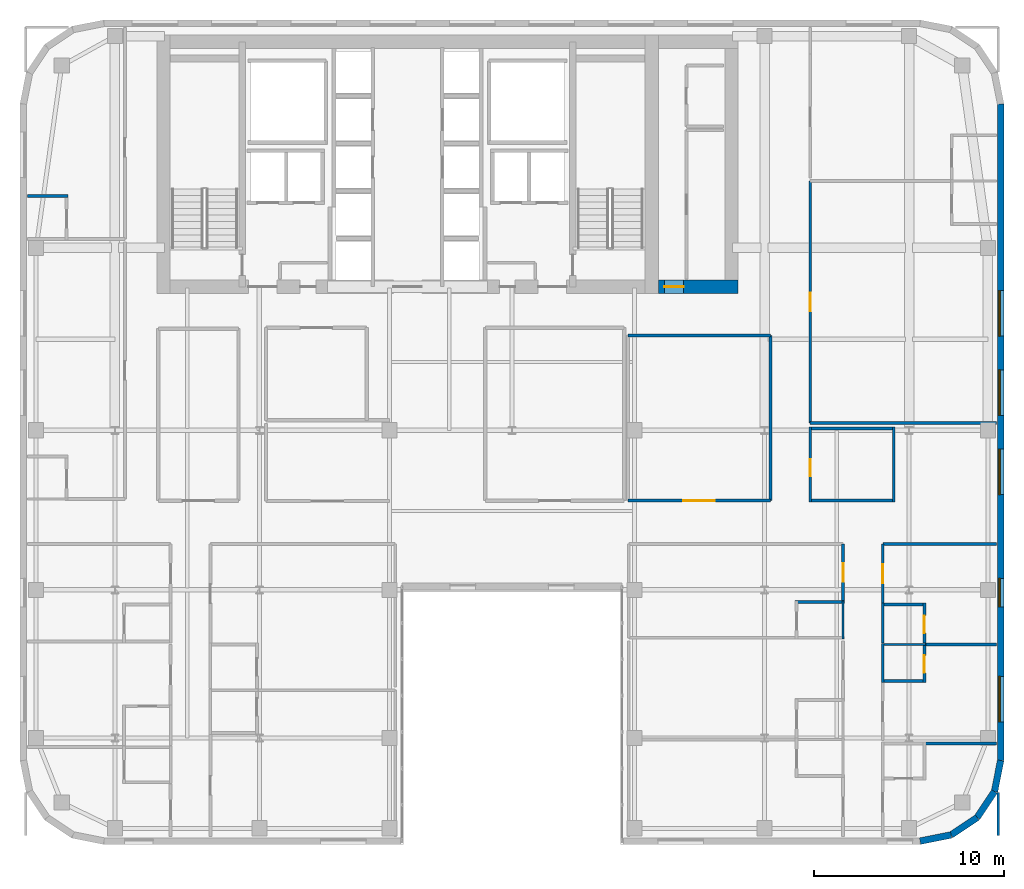
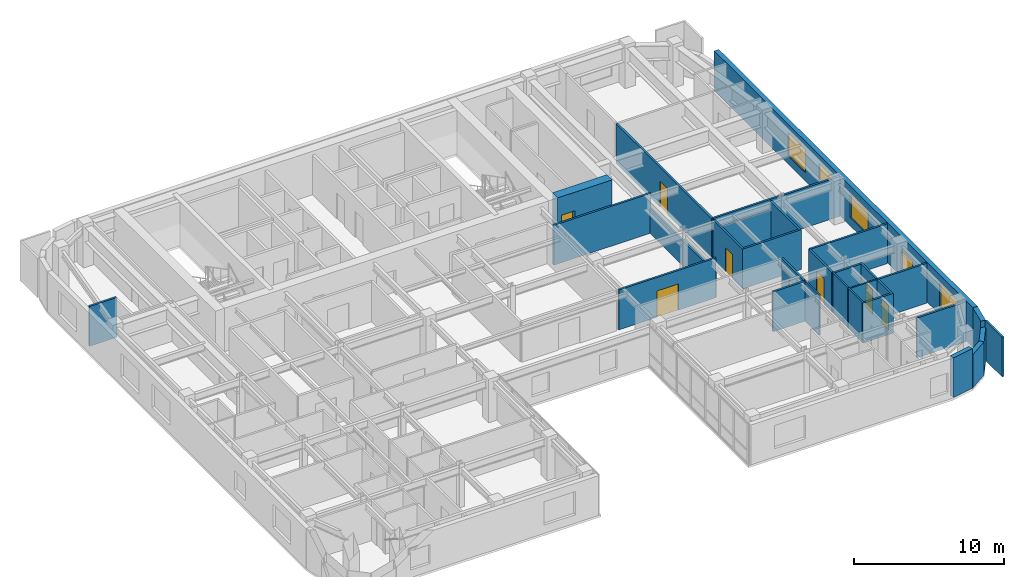
# One storey, part 10 of 14: 31 walls, 8 doors, 5 windows, 13 openings.
"""IFC4 building model written with IfcOpenShell, lengths in metres."""

from ifc_helpers import new_model, si_unit, direction, frame, frame_2d, origin, place, context, subcontext, project, spatial, rectangle, extrude, source, transform, mapped, material, layer, layer_set, type_object, type_shapes, element, fill, save


model = new_model("IFC4")

# Units and contexts
model_context = context("Model", 3, precision=1e-05, world=origin(), true_north=direction((0.0, 1.0)))
body_context = subcontext(model_context, "Body", "Model", "MODEL_VIEW")
ifc_project = project(units=[si_unit("LENGTHUNIT", "METRE"), si_unit("AREAUNIT", "SQUARE_METRE"), si_unit("VOLUMEUNIT", "CUBIC_METRE"), si_unit("PLANEANGLEUNIT", "RADIAN"), si_unit("MASSUNIT", "GRAM", prefix="KILO")], contexts=[model_context])

# Site, building, storey
site_placement = place(None, origin())
site = spatial("IfcSite", under=ifc_project, at=site_placement, CompositionType="ELEMENT")
building_placement = place(site_placement, origin())
building = spatial("IfcBuilding", under=site, at=building_placement, Name="Tolvann Quenvar Hotel", CompositionType="ELEMENT")
storey_placement = place(building_placement, frame((0.0, 0.0, 179.0)))
storey = spatial("IfcBuildingStorey", under=building, at=storey_placement, Name="L47", CompositionType="ELEMENT", Elevation=179.0)

# Wall, opening, door
ifc_material_1 = material(Name="Concrete S65 (65 MPa)", Category="concrete")
ifc_layer_1 = layer(ifc_material_1, 0.699951171875)
ifc_layer_set_1 = layer_set([ifc_layer_1], Name="Concrete S65 (65 MPa)")
wall_type_1 = type_object("IfcWallType", Name="WALL_CORE_700", PredefinedType="SHEAR", material=ifc_layer_set_1)
wall_1_placement = place(storey_placement, frame((36.199951171875, 31.949951171875, 0.0), z_axis=(0.0, 0.0, 1.0), x_axis=(1.0, 0.0, 0.0)))
wall_1 = element("IfcWall", 1, at=wall_1_placement, inside=storey, type_object=wall_type_1, Name="Core East Annex Shear Wall ANN-S (L47)", PredefinedType="SHEAR", context=body_context, shape_type="SweptSolid", body=[
    extrude(rectangle(XDim=4.199951171875, YDim=0.699951171875, at=frame_2d((2.10009765625, 0.0))), origin(), (0.0, 0.0, 1.0), 3.550048828125),
])
opening_1_placement = place(wall_1_placement, frame((1.340087890625, 0.0, 0.0), z_axis=(0.0, 0.0, 1.0), x_axis=(-1.0, 0.0, 0.0)))
opening_1 = element("IfcOpeningElement", 2, at=opening_1_placement, cuts=wall_1, Name="Opening HD-01", PredefinedType="OPENING", context=body_context, shape_type="SweptSolid", body=[
    extrude(rectangle(XDim=1.02001953125, YDim=2.030029296875, at=frame_2d((0.510009765625, 1.01513671875))), frame((0.0, 0.35986328125, 0.0), z_axis=(0.0, -1.0, 0.0), x_axis=(1.0, 0.0, 0.0)), (0.0, 0.0, 1.0), 0.719970703125),
])
ifc_material_2 = material(Name="Pressed galvanised steel fire-rated door set", Category="steel")
door_type_1 = type_object("IfcDoorType", Name="DOOR_BOH_1020", OperationType="NOTDEFINED", PredefinedType="DOOR", material=ifc_material_2)
shared_shape_1 = source(origin(), body_context, "Body", "SweptSolid", [
    extrude(rectangle(XDim=1.02001953125, YDim=2.030029296875, at=frame_2d((0.510009765625, 1.01513671875))), frame((0.0, 0.02490234375, 0.0), z_axis=(0.0, -1.0, 0.0), x_axis=(1.0, 0.0, 0.0)), (0.0, 0.0, 1.0), 0.050048828125),
])
type_shapes(door_type_1, [shared_shape_1])
door_1_placement = place(opening_1_placement, origin())
door_1 = element("IfcDoor", 3, at=door_1_placement, inside=storey, type_object=door_type_1, Name="Housekeeping Annex Fire Door (L47)", OperationType="SINGLE_SWING_LEFT", OverallHeight=2.030029296875, OverallWidth=1.02001953125, PredefinedType="DOOR", context=body_context, shape_type="MappedRepresentation", body=[
    mapped(shared_shape_1, transform((0.0, 0.0, 0.0), x_axis=(1.0, 0.0, 0.0), y_axis=(0.0, 1.0, 0.0), z_axis=(0.0, 0.0, 1.0), scale=1.0)),
])
fill(opening_1, door_1)

# Walls
ifc_material_3 = material(Name="Kiln-fired red and buff architectural clay brickwork and terracotta masonry", Category="masonry")
ifc_layer_2 = layer(ifc_material_3, 0.35009765625)
ifc_layer_set_2 = layer_set([ifc_layer_2], Name="Kiln-fired red and buff architectural clay brickwork and terracotta masonry")
wall_type_2 = type_object("IfcWallType", Name="WALL_EXT_BRICK_350", PredefinedType="SOLIDWALL", material=ifc_layer_set_2)
wall_2_placement = place(storey_placement, frame((49.98291015625, 2.77490234375, 0.0), z_axis=(0.0, 0.0, 1.0), x_axis=(0.980788844421, 0.195072403631, 0.0)))
element("IfcWall", 4, at=wall_2_placement, inside=storey, type_object=wall_type_2, Name="Exterior Chicago Brick Wall L47-E09", PredefinedType="SOLIDWALL", context=body_context, shape_type="SweptSolid", body=[
    extrude(rectangle(XDim=1.66455078125, YDim=0.35009765625, at=frame_2d((0.832275390625, 0.0))), origin(), (0.0, 0.0, 1.0), 3.25),
])
for number, where, z_axis, x_axis, name in (
    (5, (51.615478515625, 3.099609375, 0.0), (0.0, 0.0, 1.0), (0.831434158098, 0.555623290322, 0.0), "Exterior Chicago Brick Wall L47-E10"),
    (6, (52.985107421875, 4.014892578125, 0.0), (0.0, 0.0, 1.0), (0.555623290322, 0.831434158098, 0.0), "Exterior Chicago Brick Wall L47-E11"),
):
    element("IfcWall", number, at=place(storey_placement, frame(where, z_axis=z_axis, x_axis=x_axis)), inside=storey, type_object=wall_type_2, Name=name, PredefinedType="SOLIDWALL", context=body_context, shape_type="SweptSolid", body=[
        extrude(rectangle(XDim=1.647216796875, YDim=0.35009765625, at=frame_2d((0.82373046875, 0.0))), origin(), (0.0, 0.0, 1.0), 2.7119140625),
    ])
wall_3_placement = place(storey_placement, frame((53.900390625, 5.384521484375, 0.0), z_axis=(0.0, 0.0, 1.0), x_axis=(0.195072403631, 0.980788844421, 0.0)))
element("IfcWall", 7, at=wall_3_placement, inside=storey, type_object=wall_type_2, Name="Exterior Chicago Brick Wall L47-E12", PredefinedType="SOLIDWALL", context=body_context, shape_type="SweptSolid", body=[
    extrude(rectangle(XDim=1.66455078125, YDim=0.35009765625, at=frame_2d((0.832275390625, 0.0))), origin(), (0.0, 0.0, 1.0), 3.25),
])

# Wall, openings, windows
wall_4_placement = place(storey_placement, frame((54.22509765625, 7.01708984375, 0.0), z_axis=(0.0, 0.0, 1.0), x_axis=(0.0, 1.0, 0.0)))
wall_4 = element("IfcWall", 8, at=wall_4_placement, inside=storey, type_object=wall_type_2, Name="Exterior Chicago Brick Wall L47-E13", PredefinedType="SOLIDWALL", context=body_context, shape_type="SweptSolid", body=[
    extrude(rectangle(XDim=34.565673828125, YDim=0.35009765625, at=frame_2d((17.28271484375, 0.0))), origin(), (0.0, 0.0, 1.0), 3.25),
])
opening_2_placement = place(wall_4_placement, frame((2.034912109375, 0.0, 0.679931640625)))
opening_2 = element("IfcOpeningElement", 9, at=opening_2_placement, cuts=wall_4, Name="Opening W-01", PredefinedType="OPENING", context=body_context, shape_type="SweptSolid", body=[
    extrude(rectangle(XDim=2.39990234375, YDim=1.89990234375, at=frame_2d((1.199951171875, 0.949951171875))), frame((0.0, 0.18505859375, 0.0), z_axis=(0.0, -1.0, 0.0), x_axis=(1.0, 0.0, 0.0)), (0.0, 0.0, 1.0), 0.3701171875),
])
opening_3_placement = place(wall_4_placement, frame((13.9970703125, 0.0, 0.679931640625)))
opening_3 = element("IfcOpeningElement", 10, at=opening_3_placement, cuts=wall_4, Name="Opening W-01", PredefinedType="OPENING", context=body_context, shape_type="SweptSolid", body=[
    extrude(rectangle(XDim=2.39990234375, YDim=1.89990234375, at=frame_2d((1.199951171875, 0.949951171875))), frame((0.0, 0.18505859375, 0.0), z_axis=(0.0, -1.0, 0.0), x_axis=(1.0, 0.0, 0.0)), (0.0, 0.0, 1.0), 0.3701171875),
])
opening_4_placement = place(wall_4_placement, frame((18.16796875, 0.0, 0.679931640625)))
opening_4 = element("IfcOpeningElement", 11, at=opening_4_placement, cuts=wall_4, Name="Opening W-01", PredefinedType="OPENING", context=body_context, shape_type="SweptSolid", body=[
    extrude(rectangle(XDim=2.39990234375, YDim=1.89990234375, at=frame_2d((1.199951171875, 0.949951171875))), frame((0.0, 0.18505859375, 0.0), z_axis=(0.0, -1.0, 0.0), x_axis=(1.0, 0.0, 0.0)), (0.0, 0.0, 1.0), 0.3701171875),
])
opening_5_placement = place(wall_4_placement, frame((22.339111328125, 0.0, 0.679931640625)))
opening_5 = element("IfcOpeningElement", 12, at=opening_5_placement, cuts=wall_4, Name="Opening W-01", PredefinedType="OPENING", context=body_context, shape_type="SweptSolid", body=[
    extrude(rectangle(XDim=2.39990234375, YDim=1.89990234375, at=frame_2d((1.199951171875, 0.949951171875))), frame((0.0, 0.18505859375, 0.0), z_axis=(0.0, -1.0, 0.0), x_axis=(1.0, 0.0, 0.0)), (0.0, 0.0, 1.0), 0.3701171875),
])
opening_6_placement = place(wall_4_placement, frame((8.0830078125, 0.0, 0.6201171875)))
opening_6 = element("IfcOpeningElement", 13, at=opening_6_placement, cuts=wall_4, Name="Opening W-08", PredefinedType="OPENING", context=body_context, shape_type="SweptSolid", body=[
    extrude(rectangle(XDim=1.5, YDim=1.550048828125, at=frame_2d((0.75, 0.77490234375))), frame((0.0, 0.18505859375, 0.0), z_axis=(0.0, -1.0, 0.0), x_axis=(1.0, 0.0, 0.0)), (0.0, 0.0, 1.0), 0.3701171875),
])
ifc_material_4 = material(Name="Thermally broken bronze-anodised aluminium frame with double low-E glazing", Category="aluminium")
window_type_1 = type_object("IfcWindowType", Name="WIN_COR_1500x2050", PartitioningType="SINGLE_PANEL", PredefinedType="WINDOW", material=ifc_material_4)
shared_shape_2 = source(origin(), body_context, "Body", "SweptSolid", [
    extrude(rectangle(XDim=1.5, YDim=1.550048828125, at=frame_2d((0.75, 0.77490234375))), frame((0.0, 0.090087890625, 0.0), z_axis=(0.0, -1.0, 0.0), x_axis=(1.0, 0.0, 0.0)), (0.0, 0.0, 1.0), 0.06005859375),
])
type_shapes(window_type_1, [shared_shape_2])
window_1_placement = place(opening_6_placement, origin())
window_1 = element("IfcWindow", 14, at=window_1_placement, inside=storey, type_object=window_type_1, Name="Chicago Window W-08 (EW-L47-E13-WD05)", OverallHeight=1.550048828125, OverallWidth=1.5, PartitioningType="SINGLE_PANEL", PredefinedType="WINDOW", context=body_context, shape_type="MappedRepresentation", body=[
    mapped(shared_shape_2, transform((0.0, 0.0, 0.0), x_axis=(1.0, 0.0, 0.0), y_axis=(0.0, 1.0, 0.0), z_axis=(0.0, 0.0, 1.0), scale=1.0)),
])
fill(opening_6, window_1)
window_type_2 = type_object("IfcWindowType", Name="WIN_CHI_2400x2050", PartitioningType="TRIPLE_PANEL_HORIZONTAL", PredefinedType="WINDOW", material=ifc_material_4)
shared_shape_3 = source(origin(), body_context, "Body", "SweptSolid", [
    extrude(rectangle(XDim=2.39990234375, YDim=1.89990234375, at=frame_2d((1.199951171875, 0.949951171875))), frame((0.0, 0.090087890625, 0.0), z_axis=(0.0, -1.0, 0.0), x_axis=(1.0, 0.0, 0.0)), (0.0, 0.0, 1.0), 0.06005859375),
])
type_shapes(window_type_2, [shared_shape_3])
window_2_placement = place(opening_2_placement, origin())
window_2 = element("IfcWindow", 15, at=window_2_placement, inside=storey, type_object=window_type_2, Name="Chicago Window W-01 (EW-L47-E13-W01)", OverallHeight=1.89990234375, OverallWidth=2.39990234375, PartitioningType="TRIPLE_PANEL_HORIZONTAL", PredefinedType="WINDOW", context=body_context, shape_type="MappedRepresentation", body=[
    mapped(shared_shape_3, transform((0.0, 0.0, 0.0), x_axis=(1.0, 0.0, 0.0), y_axis=(0.0, 1.0, 0.0), z_axis=(0.0, 0.0, 1.0), scale=1.0)),
])
fill(opening_2, window_2)
window_3_placement = place(opening_3_placement, origin())
window_3 = element("IfcWindow", 16, at=window_3_placement, inside=storey, type_object=window_type_2, Name="Chicago Window W-01 (EW-L47-E13-W02)", OverallHeight=1.89990234375, OverallWidth=2.39990234375, PartitioningType="TRIPLE_PANEL_HORIZONTAL", PredefinedType="WINDOW", context=body_context, shape_type="MappedRepresentation", body=[
    mapped(shared_shape_3, transform((0.0, 0.0, 0.0), x_axis=(1.0, 0.0, 0.0), y_axis=(0.0, 1.0, 0.0), z_axis=(0.0, 0.0, 1.0), scale=1.0)),
])
fill(opening_3, window_3)
window_4_placement = place(opening_4_placement, origin())
window_4 = element("IfcWindow", 17, at=window_4_placement, inside=storey, type_object=window_type_2, Name="Chicago Window W-01 (EW-L47-E13-W03)", OverallHeight=1.89990234375, OverallWidth=2.39990234375, PartitioningType="TRIPLE_PANEL_HORIZONTAL", PredefinedType="WINDOW", context=body_context, shape_type="MappedRepresentation", body=[
    mapped(shared_shape_3, transform((0.0, 0.0, 0.0), x_axis=(1.0, 0.0, 0.0), y_axis=(0.0, 1.0, 0.0), z_axis=(0.0, 0.0, 1.0), scale=1.0)),
])
fill(opening_4, window_4)
window_5_placement = place(opening_5_placement, origin())
window_5 = element("IfcWindow", 18, at=window_5_placement, inside=storey, type_object=window_type_2, Name="Chicago Window W-01 (EW-L47-E13-W04)", OverallHeight=1.89990234375, OverallWidth=2.39990234375, PartitioningType="TRIPLE_PANEL_HORIZONTAL", PredefinedType="WINDOW", context=body_context, shape_type="MappedRepresentation", body=[
    mapped(shared_shape_3, transform((0.0, 0.0, 0.0), x_axis=(1.0, 0.0, 0.0), y_axis=(0.0, 1.0, 0.0), z_axis=(0.0, 0.0, 1.0), scale=1.0)),
])
fill(opening_5, window_5)

# Walls
ifc_material_5 = material(Name="Moisture-resistant acoustic plumbing wall assembly")
ifc_layer_3 = layer(ifc_material_5, 0.1201171875)
ifc_layer_set_3 = layer_set([ifc_layer_3], Name="Moisture-resistant acoustic plumbing wall assembly")
wall_type_3 = type_object("IfcWallType", Name="WALL_PART_BATH_120", PredefinedType="PLUMBINGWALL", material=ifc_layer_set_3)
wall_5_placement = place(storey_placement, frame((45.929931640625, 13.409912109375, 0.0), z_axis=(0.0, 0.0, 1.0), x_axis=(0.0, 1.0, 0.0)))
element("IfcWall", 19, at=wall_5_placement, inside=storey, type_object=wall_type_3, Name="Non-Rated Plumbing Partition PT-SPC-L47-ENS-EI03-E", PredefinedType="PLUMBINGWALL", context=body_context, shape_type="SweptSolid", body=[
    extrude(rectangle(XDim=2.01708984375, YDim=0.1201171875, at=frame_2d((1.008544921875, 0.0))), origin(), (0.0, 0.0, 1.0), 3.25),
])
wall_6_placement = place(storey_placement, frame((47.949951171875, 13.1201171875, 0.0), z_axis=(0.0, 0.0, 1.0), x_axis=(1.0, 0.0, 0.0)))
element("IfcWall", 20, at=wall_6_placement, inside=storey, type_object=wall_type_3, Name="Non-Rated Plumbing Partition PT-SPC-L47-ENS-EO02-N", PredefinedType="PLUMBINGWALL", context=body_context, shape_type="SweptSolid", body=[
    extrude(rectangle(XDim=2.3291015625, YDim=0.1201171875, at=frame_2d((1.16455078125, 0.0))), origin(), (0.0, 0.0, 1.0), 3.25),
])
wall_7_placement = place(storey_placement, frame((48.02001953125, 11.135009765625, 0.0), z_axis=(0.0, 0.0, 1.0), x_axis=(0.0, 1.0, 0.0)))
element("IfcWall", 21, at=wall_7_placement, inside=storey, type_object=wall_type_3, Name="Non-Rated Plumbing Partition PT-SPC-L47-ENS-EO02-W", PredefinedType="PLUMBINGWALL", context=body_context, shape_type="SweptSolid", body=[
    extrude(rectangle(XDim=2.054931640625, YDim=0.1201171875, at=frame_2d((1.02734375, 0.0))), origin(), (0.0, 0.0, 1.0), 3.25),
])
wall_8_placement = place(storey_placement, frame((48.02001953125, 13.2099609375, 0.0), z_axis=(0.0, 0.0, 1.0), x_axis=(0.0, 1.0, 0.0)))
element("IfcWall", 22, at=wall_8_placement, inside=storey, type_object=wall_type_3, Name="Non-Rated Plumbing Partition PT-SPC-L47-ENS-EO03-W", PredefinedType="PLUMBINGWALL", context=body_context, shape_type="SweptSolid", body=[
    extrude(rectangle(XDim=2.093017578125, YDim=0.1201171875, at=frame_2d((1.04638671875, 0.0))), origin(), (0.0, 0.0, 1.0), 3.25),
])
ifc_material_6 = material(Name="Acoustic twin-stud fire-rated gypsum plasterboard partition")
ifc_layer_4 = layer(ifc_material_6, 0.14990234375)
ifc_layer_set_4 = layer_set([ifc_layer_4], Name="Acoustic twin-stud fire-rated gypsum plasterboard partition")
wall_type_4 = type_object("IfcWallType", Name="WALL_PART_SUITE_150", PredefinedType="PARTITIONING", material=ifc_layer_set_4)
wall_9_placement = place(storey_placement, frame((43.409912109375, 15.35693359375, 0.0), z_axis=(0.0, 0.0, 1.0), x_axis=(1.0, 0.0, 0.0)))
element("IfcWall", 23, at=wall_9_placement, inside=storey, type_object=wall_type_4, Name="Interior Partition PT-SPC-L47-ENS-EI03-N", PredefinedType="PARTITIONING", context=body_context, shape_type="SweptSolid", body=[
    extrude(rectangle(XDim=2.590087890625, YDim=0.14990234375, at=frame_2d((1.294921875, 0.0))), origin(), (0.0, 0.0, 1.0), 3.25),
])

# Wall, opening, door
wall_10_placement = place(storey_placement, frame((50.208984375, 11.135009765625, 0.0), z_axis=(0.0, 0.0, 1.0), x_axis=(0.0, 1.0, 0.0)))
wall_10 = element("IfcWall", 24, at=wall_10_placement, inside=storey, type_object=wall_type_4, Name="Interior Partition PT-SPC-L47-ENS-EO02-ENT", PredefinedType="PARTITIONING", context=body_context, shape_type="SweptSolid", body=[
    extrude(rectangle(XDim=2.054931640625, YDim=0.14990234375, at=frame_2d((1.02734375, 0.0))), origin(), (0.0, 0.0, 1.0), 3.25),
])
opening_7_placement = place(wall_10_placement, frame((0.49755859375, 0.0, 0.0)))
opening_7 = element("IfcOpeningElement", 25, at=opening_7_placement, cuts=wall_10, Name="Opening WD-01", PredefinedType="OPENING", context=body_context, shape_type="SweptSolid", body=[
    extrude(rectangle(XDim=0.919921875, YDim=2.010009765625, at=frame_2d((0.4599609375, 1.0048828125))), frame((0.0, 0.0849609375, 0.0), z_axis=(0.0, -1.0, 0.0), x_axis=(1.0, 0.0, 0.0)), (0.0, 0.0, 1.0), 0.169921875),
])
ifc_material_7 = material(Name="Solid-core American oak acoustic fire door leaf in steel frame", Category="steel")
door_type_2 = type_object("IfcDoorType", Name="DOOR_WC_920", OperationType="NOTDEFINED", PredefinedType="DOOR", material=ifc_material_7)
shared_shape_4 = source(origin(), body_context, "Body", "SweptSolid", [
    extrude(rectangle(XDim=0.919921875, YDim=2.010009765625, at=frame_2d((0.4599609375, 1.0048828125))), frame((0.0, 0.02490234375, 0.0), z_axis=(0.0, -1.0, 0.0), x_axis=(1.0, 0.0, 0.0)), (0.0, 0.0, 1.0), 0.050048828125),
])
type_shapes(door_type_2, [shared_shape_4])
door_2_placement = place(opening_7_placement, origin())
door_2 = element("IfcDoor", 26, at=door_2_placement, inside=storey, type_object=door_type_2, Name="Interior Door DOOR-SPC-L47-ENS-EO02", OperationType="SINGLE_SWING_RIGHT", OverallHeight=2.010009765625, OverallWidth=0.919921875, PredefinedType="DOOR", context=body_context, shape_type="MappedRepresentation", body=[
    mapped(shared_shape_4, transform((0.0, 0.0, 0.0), x_axis=(1.0, 0.0, 0.0), y_axis=(0.0, 1.0, 0.0), z_axis=(0.0, 0.0, 1.0), scale=1.0)),
])
fill(opening_7, door_2)

# Wall
wall_11_placement = place(storey_placement, frame((47.949951171875, 11.205078125, 0.0), z_axis=(0.0, 0.0, 1.0), x_axis=(1.0, 0.0, 0.0)))
element("IfcWall", 27, at=wall_11_placement, inside=storey, type_object=wall_type_4, Name="Interior Partition PT-SPC-L47-ENS-EO02-S", PredefinedType="PARTITIONING", context=body_context, shape_type="SweptSolid", body=[
    extrude(rectangle(XDim=2.3291015625, YDim=0.14990234375, at=frame_2d((1.16455078125, 0.0))), origin(), (0.0, 0.0, 1.0), 3.25),
])

# Wall, opening, door
wall_12_placement = place(storey_placement, frame((50.208984375, 13.2099609375, 0.0), z_axis=(0.0, 0.0, 1.0), x_axis=(0.0, 1.0, 0.0)))
wall_12 = element("IfcWall", 28, at=wall_12_placement, inside=storey, type_object=wall_type_4, Name="Interior Partition PT-SPC-L47-ENS-EO03-ENT", PredefinedType="PARTITIONING", context=body_context, shape_type="SweptSolid", body=[
    extrude(rectangle(XDim=2.093017578125, YDim=0.14990234375, at=frame_2d((1.04638671875, 0.0))), origin(), (0.0, 0.0, 1.0), 3.25),
])
opening_8_placement = place(wall_12_placement, frame((0.5166015625, 0.0, 0.0)))
opening_8 = element("IfcOpeningElement", 29, at=opening_8_placement, cuts=wall_12, Name="Opening WD-01", PredefinedType="OPENING", context=body_context, shape_type="SweptSolid", body=[
    extrude(rectangle(XDim=0.919921875, YDim=2.010009765625, at=frame_2d((0.4599609375, 1.0048828125))), frame((0.0, 0.0849609375, 0.0), z_axis=(0.0, -1.0, 0.0), x_axis=(1.0, 0.0, 0.0)), (0.0, 0.0, 1.0), 0.169921875),
])
door_3_placement = place(opening_8_placement, origin())
door_3 = element("IfcDoor", 30, at=door_3_placement, inside=storey, type_object=door_type_2, Name="Interior Door DOOR-SPC-L47-ENS-EO03", OperationType="SINGLE_SWING_LEFT", OverallHeight=2.010009765625, OverallWidth=0.919921875, PredefinedType="DOOR", context=body_context, shape_type="MappedRepresentation", body=[
    mapped(shared_shape_4, transform((0.0, 0.0, 0.0), x_axis=(1.0, 0.0, 0.0), y_axis=(0.0, 1.0, 0.0), z_axis=(0.0, 0.0, 1.0), scale=1.0)),
])
fill(opening_8, door_3)

# Walls
wall_13_placement = place(storey_placement, frame((47.949951171875, 15.23291015625, 0.0), z_axis=(0.0, 0.0, 1.0), x_axis=(1.0, 0.0, 0.0)))
element("IfcWall", 31, at=wall_13_placement, inside=storey, type_object=wall_type_4, Name="Interior Partition PT-SPC-L47-ENS-EO03-N", PredefinedType="PARTITIONING", context=body_context, shape_type="SweptSolid", body=[
    extrude(rectangle(XDim=2.3291015625, YDim=0.14990234375, at=frame_2d((1.16455078125, 0.0))), origin(), (0.0, 0.0, 1.0), 3.25),
])
wall_14_placement = place(storey_placement, frame((3.0048828125, 36.72998046875, 0.0), z_axis=(0.0, 0.0, 1.0), x_axis=(1.0, 0.0, 0.0)))
element("IfcWall", 32, at=wall_14_placement, inside=storey, type_object=wall_type_4, Name="Interior Partition PT-SPC-L47-ENS-NW02-N", PredefinedType="PARTITIONING", context=body_context, shape_type="SweptSolid", body=[
    extrude(rectangle(XDim=2.115234375, YDim=0.14990234375, at=frame_2d((1.0576171875, 0.0))), origin(), (0.0, 0.0, 1.0), 3.25),
])

# Wall, opening, door
wall_15_placement = place(storey_placement, frame((45.929931640625, 15.43701171875, 0.0), z_axis=(0.0, 0.0, 1.0), x_axis=(0.0, 1.0, 0.0)))
wall_15 = element("IfcWall", 33, at=wall_15_placement, inside=storey, type_object=wall_type_4, Name="Interior Partition PT-SPC-L47-RM-EI03-ENT", PredefinedType="PARTITIONING", context=body_context, shape_type="SweptSolid", body=[
    extrude(rectangle(XDim=2.98291015625, YDim=0.14990234375, at=frame_2d((1.491455078125, 0.0))), origin(), (0.0, 0.0, 1.0), 3.25),
])
opening_9_placement = place(wall_15_placement, frame((0.9814453125, 0.0, 0.0)))
opening_9 = element("IfcOpeningElement", 34, at=opening_9_placement, cuts=wall_15, Name="Opening SD-01", PredefinedType="OPENING", context=body_context, shape_type="SweptSolid", body=[
    extrude(rectangle(XDim=0.97998046875, YDim=2.1201171875, at=frame_2d((0.489990234375, 1.06005859375))), frame((0.0, 0.0849609375, 0.0), z_axis=(0.0, -1.0, 0.0), x_axis=(1.0, 0.0, 0.0)), (0.0, 0.0, 1.0), 0.169921875),
])
door_type_3 = type_object("IfcDoorType", Name="DOOR_SUITE_980", OperationType="NOTDEFINED", PredefinedType="DOOR", material=ifc_material_7)
shared_shape_5 = source(origin(), body_context, "Body", "SweptSolid", [
    extrude(rectangle(XDim=0.97998046875, YDim=2.1201171875, at=frame_2d((0.489990234375, 1.06005859375))), frame((0.0, 0.02490234375, 0.0), z_axis=(0.0, -1.0, 0.0), x_axis=(1.0, 0.0, 0.0)), (0.0, 0.0, 1.0), 0.050048828125),
])
type_shapes(door_type_3, [shared_shape_5])
door_4_placement = place(opening_9_placement, origin())
door_4 = element("IfcDoor", 35, at=door_4_placement, inside=storey, type_object=door_type_3, Name="Interior Door DOOR-SPC-L47-RM-EI03", OperationType="SINGLE_SWING_LEFT", OverallHeight=2.1201171875, OverallWidth=0.97998046875, PredefinedType="DOOR", context=body_context, shape_type="MappedRepresentation", body=[
    mapped(shared_shape_5, transform((0.0, 0.0, 0.0), x_axis=(1.0, 0.0, 0.0), y_axis=(0.0, 1.0, 0.0), z_axis=(0.0, 0.0, 1.0), scale=1.0)),
])
fill(opening_9, door_4)

# Walls
wall_16_placement = place(storey_placement, frame((54.10009765625, 3.080078125, 0.0), z_axis=(0.0, 0.0, 1.0), x_axis=(0.0, 1.0, 0.0)))
element("IfcWall", 36, at=wall_16_placement, inside=storey, type_object=wall_type_4, Name="Interior Partition PT-SPC-L47-RM-EO01-E2", PredefinedType="PARTITIONING", context=body_context, shape_type="SweptSolid", body=[
    extrude(rectangle(XDim=2.264892578125, YDim=0.14990234375, at=frame_2d((1.13232421875, 0.0))), origin(), (0.0, 0.0, 1.0), 3.25),
])
for number, where, z_axis, x_axis, name in (
    (37, (50.22900390625, 7.919921875, 0.0), (0.0, 0.0, 1.0), (1.0, 0.0, 0.0), "Interior Partition PT-SPC-L47-RM-EO01-E3"),
    (38, (50.22900390625, 13.1201171875, 0.0), (0.0, 0.0, 1.0), (1.0, 0.0, 0.0), "Interior Partition PT-SPC-L47-RM-EO02-E3"),
):
    element("IfcWall", number, at=place(storey_placement, frame(where, z_axis=z_axis, x_axis=x_axis)), inside=storey, type_object=wall_type_4, Name=name, PredefinedType="PARTITIONING", context=body_context, shape_type="SweptSolid", body=[
        extrude(rectangle(XDim=3.76611328125, YDim=0.14990234375, at=frame_2d((1.883056640625, 0.0))), origin(), (0.0, 0.0, 1.0), 3.25),
    ])

# Wall, opening, door
wall_17_placement = place(storey_placement, frame((48.02001953125, 15.31298828125, 0.0), z_axis=(0.0, 0.0, 1.0), x_axis=(0.0, 1.0, 0.0)))
wall_17 = element("IfcWall", 39, at=wall_17_placement, inside=storey, type_object=wall_type_4, Name="Interior Partition PT-SPC-L47-RM-EO03-ENT", PredefinedType="PARTITIONING", context=body_context, shape_type="SweptSolid", body=[
    extrude(rectangle(XDim=3.10693359375, YDim=0.14990234375, at=frame_2d((1.553466796875, 0.0))), origin(), (0.0, 0.0, 1.0), 3.25),
])
opening_10_placement = place(wall_17_placement, frame((1.04345703125, 0.0, 0.0)))
opening_10 = element("IfcOpeningElement", 40, at=opening_10_placement, cuts=wall_17, Name="Opening SD-01", PredefinedType="OPENING", context=body_context, shape_type="SweptSolid", body=[
    extrude(rectangle(XDim=0.97998046875, YDim=2.1201171875, at=frame_2d((0.489990234375, 1.06005859375))), frame((0.0, 0.0849609375, 0.0), z_axis=(0.0, -1.0, 0.0), x_axis=(1.0, 0.0, 0.0)), (0.0, 0.0, 1.0), 0.169921875),
])
door_5_placement = place(opening_10_placement, origin())
door_5 = element("IfcDoor", 41, at=door_5_placement, inside=storey, type_object=door_type_3, Name="Interior Door DOOR-SPC-L47-RM-EO03", OperationType="SINGLE_SWING_RIGHT", OverallHeight=2.1201171875, OverallWidth=0.97998046875, PredefinedType="DOOR", context=body_context, shape_type="MappedRepresentation", body=[
    mapped(shared_shape_5, transform((0.0, 0.0, 0.0), x_axis=(1.0, 0.0, 0.0), y_axis=(0.0, 1.0, 0.0), z_axis=(0.0, 0.0, 1.0), scale=1.0)),
])
fill(opening_10, door_5)

# Wall
wall_18_placement = place(storey_placement, frame((48.02001953125, 18.419921875, 0.0), z_axis=(0.0, 0.0, 1.0), x_axis=(1.0, 0.0, 0.0)))
element("IfcWall", 42, at=wall_18_placement, inside=storey, type_object=wall_type_4, Name="Interior Partition PT-SPC-L47-RM-EO03-E5", PredefinedType="PARTITIONING", context=body_context, shape_type="SweptSolid", body=[
    extrude(rectangle(XDim=5.97509765625, YDim=0.14990234375, at=frame_2d((2.987548828125, 0.0))), origin(), (0.0, 0.0, 1.0), 3.25),
])

# Wall, opening, door
wall_19_placement = place(storey_placement, frame((44.199951171875, 20.6298828125, 0.0), z_axis=(0.0, 0.0, 1.0), x_axis=(0.0, 1.0, 0.0)))
wall_19 = element("IfcWall", 43, at=wall_19_placement, inside=storey, type_object=wall_type_4, Name="Interior Partition PT-SPC-L47-WCA-ENT", PredefinedType="PARTITIONING", context=body_context, shape_type="SweptSolid", body=[
    extrude(rectangle(XDim=3.940185546875, YDim=0.14990234375, at=frame_2d((1.97021484375, 0.0))), origin(), (0.0, 0.0, 1.0), 3.25),
])
opening_11_placement = place(wall_19_placement, frame((1.340087890625, 0.0, 0.0)))
opening_11 = element("IfcOpeningElement", 44, at=opening_11_placement, cuts=wall_19, Name="Opening WD-01", PredefinedType="OPENING", context=body_context, shape_type="SweptSolid", body=[
    extrude(rectangle(XDim=0.919921875, YDim=2.010009765625, at=frame_2d((0.4599609375, 1.0048828125))), frame((0.0, 0.0849609375, 0.0), z_axis=(0.0, -1.0, 0.0), x_axis=(1.0, 0.0, 0.0)), (0.0, 0.0, 1.0), 0.169921875),
])
door_6_placement = place(opening_11_placement, origin())
door_6 = element("IfcDoor", 45, at=door_6_placement, inside=storey, type_object=door_type_2, Name="Interior Door DOOR-SPC-L47-WCA", OperationType="SINGLE_SWING_LEFT", OverallHeight=2.010009765625, OverallWidth=0.919921875, PredefinedType="DOOR", context=body_context, shape_type="MappedRepresentation", body=[
    mapped(shared_shape_4, transform((0.0, 0.0, 0.0), x_axis=(1.0, 0.0, 0.0), y_axis=(0.0, 1.0, 0.0), z_axis=(0.0, 0.0, 1.0), scale=1.0)),
])
fill(opening_11, door_6)

# Walls
wall_20_placement = place(storey_placement, frame((44.1298828125, 20.699951171875, 0.0), z_axis=(0.0, 0.0, 1.0), x_axis=(1.0, 0.0, 0.0)))
element("IfcWall", 46, at=wall_20_placement, inside=storey, type_object=wall_type_4, Name="Interior Partition PT-SPC-L47-WCA-S", PredefinedType="PARTITIONING", context=body_context, shape_type="SweptSolid", body=[
    extrude(rectangle(XDim=4.5400390625, YDim=0.14990234375, at=frame_2d((2.27001953125, 0.0))), origin(), (0.0, 0.0, 1.0), 3.25),
])
wall_21_placement = place(storey_placement, frame((44.1298828125, 24.5, 0.0), z_axis=(0.0, 0.0, 1.0), x_axis=(1.0, 0.0, 0.0)))
element("IfcWall", 47, at=wall_21_placement, inside=storey, type_object=wall_type_4, Name="Interior Partition PT-SPC-L47-WCA-N", PredefinedType="PARTITIONING", context=body_context, shape_type="SweptSolid", body=[
    extrude(rectangle(XDim=4.5400390625, YDim=0.14990234375, at=frame_2d((2.27001953125, 0.0))), origin(), (0.0, 0.0, 1.0), 2.637939453125),
])
wall_22_placement = place(storey_placement, frame((48.60009765625, 20.6298828125, 0.0), z_axis=(0.0, 0.0, 1.0), x_axis=(0.0, 1.0, 0.0)))
element("IfcWall", 48, at=wall_22_placement, inside=storey, type_object=wall_type_4, Name="Interior Partition PT-SPC-L47-WCA-E", PredefinedType="PARTITIONING", context=body_context, shape_type="SweptSolid", body=[
    extrude(rectangle(XDim=3.940185546875, YDim=0.14990234375, at=frame_2d((1.97021484375, 0.0))), origin(), (0.0, 0.0, 1.0), 3.25),
])

# Wall, opening, door
wall_23_placement = place(storey_placement, frame((44.199951171875, 24.780029296875, 0.0), z_axis=(0.0, 0.0, 1.0), x_axis=(0.0, 1.0, 0.0)))
wall_23 = element("IfcWall", 49, at=wall_23_placement, inside=storey, type_object=wall_type_4, Name="Interior Partition PT-SPC-L47-RM-NE01-ENT", PredefinedType="PARTITIONING", context=body_context, shape_type="SweptSolid", body=[
    extrude(rectangle(XDim=12.739990234375, YDim=0.14990234375, at=frame_2d((6.3701171875, 0.0))), origin(), (0.0, 0.0, 1.0), 3.25),
])
opening_12_placement = place(wall_23_placement, frame((5.8798828125, 0.0, 0.0)))
opening_12 = element("IfcOpeningElement", 50, at=opening_12_placement, cuts=wall_23, Name="Opening SD-01", PredefinedType="OPENING", context=body_context, shape_type="SweptSolid", body=[
    extrude(rectangle(XDim=0.97998046875, YDim=2.1201171875, at=frame_2d((0.489990234375, 1.06005859375))), frame((0.0, 0.0849609375, 0.0), z_axis=(0.0, -1.0, 0.0), x_axis=(1.0, 0.0, 0.0)), (0.0, 0.0, 1.0), 0.169921875),
])
door_7_placement = place(opening_12_placement, origin())
door_7 = element("IfcDoor", 51, at=door_7_placement, inside=storey, type_object=door_type_3, Name="Interior Door DOOR-SPC-L47-RM-NE01", OperationType="SINGLE_SWING_RIGHT", OverallHeight=2.1201171875, OverallWidth=0.97998046875, PredefinedType="DOOR", context=body_context, shape_type="MappedRepresentation", body=[
    mapped(shared_shape_5, transform((0.0, 0.0, 0.0), x_axis=(1.0, 0.0, 0.0), y_axis=(0.0, 1.0, 0.0), z_axis=(0.0, 0.0, 1.0), scale=1.0)),
])
fill(opening_12, door_7)

# Wall
wall_24_placement = place(storey_placement, frame((44.199951171875, 24.780029296875, 0.0), z_axis=(0.0, 0.0, 1.0), x_axis=(1.0, 0.0, 0.0)))
element("IfcWall", 52, at=wall_24_placement, inside=storey, type_object=wall_type_4, Name="Interior Partition PT-SPC-L47-RM-NE01-E1", PredefinedType="PARTITIONING", context=body_context, shape_type="SweptSolid", body=[
    extrude(rectangle(XDim=9.795166015625, YDim=0.14990234375, at=frame_2d((4.8974609375, 0.0))), origin(), (0.0, 0.0, 1.0), 3.25),
])

# Wall, opening, door
wall_25_placement = place(storey_placement, frame((34.60009765625, 20.699951171875, 0.0), z_axis=(0.0, 0.0, 1.0), x_axis=(1.0, 0.0, 0.0)))
wall_25 = element("IfcWall", 53, at=wall_25_placement, inside=storey, type_object=wall_type_4, Name="Interior Partition PT-SPC-L47-MSP-E-S", PredefinedType="PARTITIONING", context=body_context, shape_type="SweptSolid", body=[
    extrude(rectangle(XDim=7.5, YDim=0.14990234375, at=frame_2d((3.75, 0.0))), origin(), (0.0, 0.0, 1.0), 3.25),
])
opening_13_placement = place(wall_25_placement, frame((2.925048828125, 0.0, 0.0)))
opening_13 = element("IfcOpeningElement", 54, at=opening_13_placement, cuts=wall_25, Name="Opening AD-01", PredefinedType="OPENING", context=body_context, shape_type="SweptSolid", body=[
    extrude(rectangle(XDim=1.64990234375, YDim=2.14990234375, at=frame_2d((0.824951171875, 1.074951171875))), frame((0.0, 0.0849609375, 0.0), z_axis=(0.0, -1.0, 0.0), x_axis=(1.0, 0.0, 0.0)), (0.0, 0.0, 1.0), 0.169921875),
])
door_type_4 = type_object("IfcDoorType", Name="DOOR_SALON_1650", OperationType="NOTDEFINED", PredefinedType="DOOR", material=ifc_material_7)
shared_shape_6 = source(origin(), body_context, "Body", "SweptSolid", [
    extrude(rectangle(XDim=1.64990234375, YDim=2.14990234375, at=frame_2d((0.824951171875, 1.074951171875))), frame((0.0, 0.02490234375, 0.0), z_axis=(0.0, -1.0, 0.0), x_axis=(1.0, 0.0, 0.0)), (0.0, 0.0, 1.0), 0.050048828125),
])
type_shapes(door_type_4, [shared_shape_6])
door_8_placement = place(opening_13_placement, origin())
door_8 = element("IfcDoor", 55, at=door_8_placement, inside=storey, type_object=door_type_4, Name="Interior Door DOOR-SPC-L47-MSP-E", OperationType="DOUBLE_DOOR_SINGLE_SWING", OverallHeight=2.14990234375, OverallWidth=1.64990234375, PredefinedType="DOOR", context=body_context, shape_type="MappedRepresentation", body=[
    mapped(shared_shape_6, transform((0.0, 0.0, 0.0), x_axis=(1.0, 0.0, 0.0), y_axis=(0.0, 1.0, 0.0), z_axis=(0.0, 0.0, 1.0), scale=1.0)),
])
fill(opening_13, door_8)

# Walls
wall_26_placement = place(storey_placement, frame((34.60009765625, 29.39990234375, 0.0), z_axis=(0.0, 0.0, 1.0), x_axis=(1.0, 0.0, 0.0)))
element("IfcWall", 56, at=wall_26_placement, inside=storey, type_object=wall_type_4, Name="Interior Partition PT-SPC-L47-MSP-E-N", PredefinedType="PARTITIONING", context=body_context, shape_type="SweptSolid", body=[
    extrude(rectangle(XDim=7.5, YDim=0.14990234375, at=frame_2d((3.75, 0.0))), origin(), (0.0, 0.0, 1.0), 3.25),
])
wall_27_placement = place(storey_placement, frame((42.10009765625, 20.699951171875, 0.0), z_axis=(0.0, 0.0, 1.0), x_axis=(0.0, 1.0, 0.0)))
element("IfcWall", 57, at=wall_27_placement, inside=storey, type_object=wall_type_4, Name="Interior Partition PT-SPC-L47-MSP-E-E", PredefinedType="PARTITIONING", context=body_context, shape_type="SweptSolid", body=[
    extrude(rectangle(XDim=8.699951171875, YDim=0.14990234375, at=frame_2d((4.35009765625, 0.0))), origin(), (0.0, 0.0, 1.0), 2.0400390625),
])

save(model, "model.ifc")
